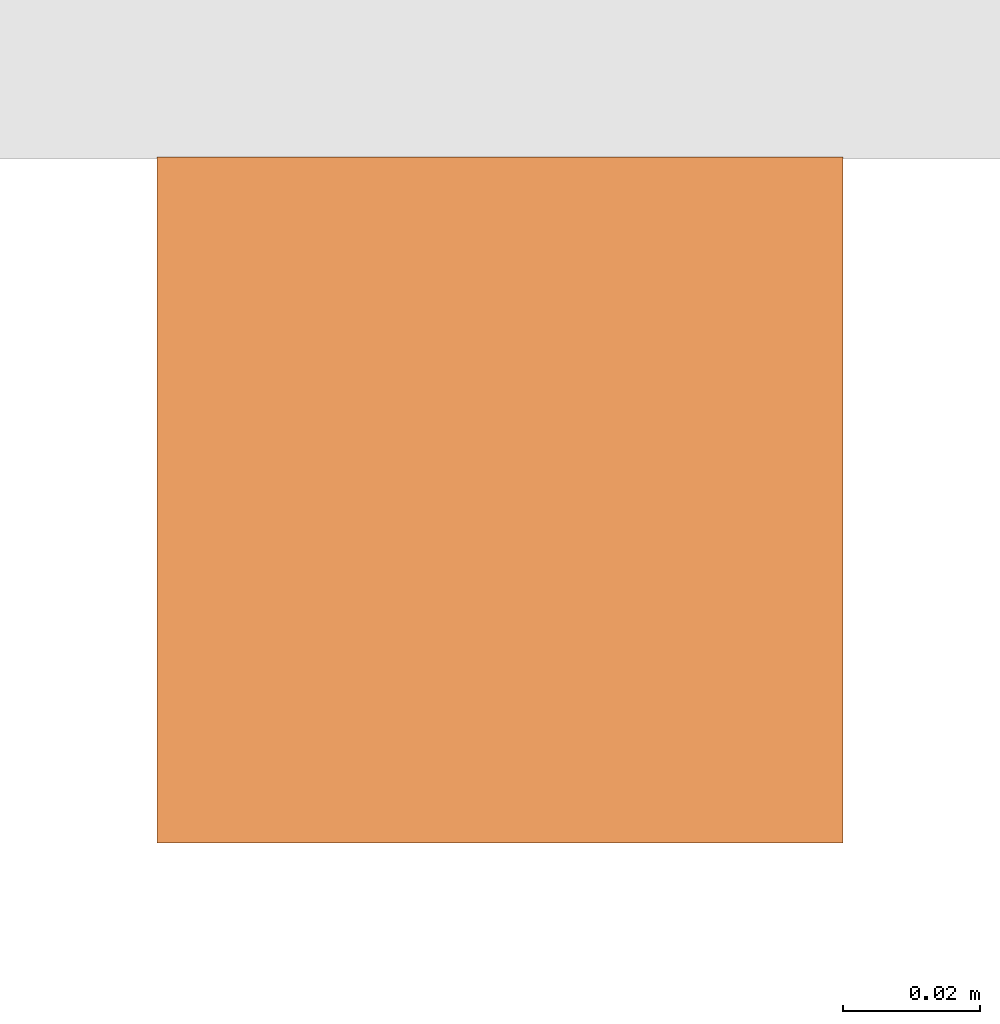
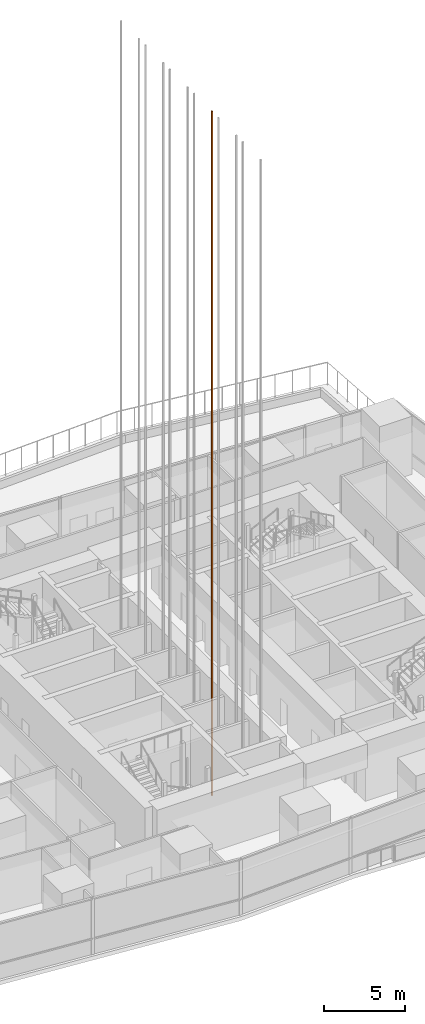
# One storey, part 32 of 39: 1 proxy.
"""IFC4 building model written with IfcOpenShell, lengths in metres."""

from ifc_helpers import new_model, si_unit, direction, frame, origin, origin_2d, place, context, subcontext, project, spatial, rectangle, extrude, material, type_object, element, save


model = new_model("IFC4")

# Units and contexts
model_context = context("Model", 3, precision=1e-05, world=origin(), true_north=direction((0.0, 1.0)))
body_context = subcontext(model_context, "Body", "Model", "MODEL_VIEW")
ifc_project = project(units=[si_unit("LENGTHUNIT", "METRE"), si_unit("AREAUNIT", "SQUARE_METRE"), si_unit("VOLUMEUNIT", "CUBIC_METRE"), si_unit("PLANEANGLEUNIT", "RADIAN"), si_unit("MASSUNIT", "GRAM", prefix="KILO")], contexts=[model_context])

# Site, building, storey
site_placement = place(None, origin())
site = spatial("IfcSite", under=ifc_project, at=site_placement, CompositionType="ELEMENT")
building_placement = place(site_placement, origin())
building = spatial("IfcBuilding", under=site, at=building_placement, Name="Rekha Terrace Tower", CompositionType="ELEMENT")
storey_placement = place(building_placement, frame((0.0, 0.0, 245.60009765625)))
storey = spatial("IfcBuildingStorey", under=building, at=storey_placement, Name="L62", CompositionType="ELEMENT", Elevation=245.60009765625)

# Proxy
ifc_material = material(Name="Steel guide rail", Category="steel")
building_element_proxy_type = type_object("IfcBuildingElementProxyType", Name="LR1 100 lift guide rail", PredefinedType="ELEMENT", material=ifc_material)
proxy_placement = place(storey_placement, frame((34.5, 29.800048828125, -3.30029296875), z_axis=(0.0, 0.0, 1.0), x_axis=(1.0, 0.0, 0.0)))
element("IfcBuildingElementProxy", 1, at=proxy_placement, inside=storey, type_object=building_element_proxy_type, Name="Lift D3 guide rail 1", PredefinedType="ELEMENT", context=body_context, shape_type="SweptSolid", body=[
    extrude(rectangle(XDim=0.10009765625, YDim=0.10009765625, at=origin_2d()), origin(), (0.0, 0.0, 1.0), 51.449951171875),
])

save(model, "model.ifc")
